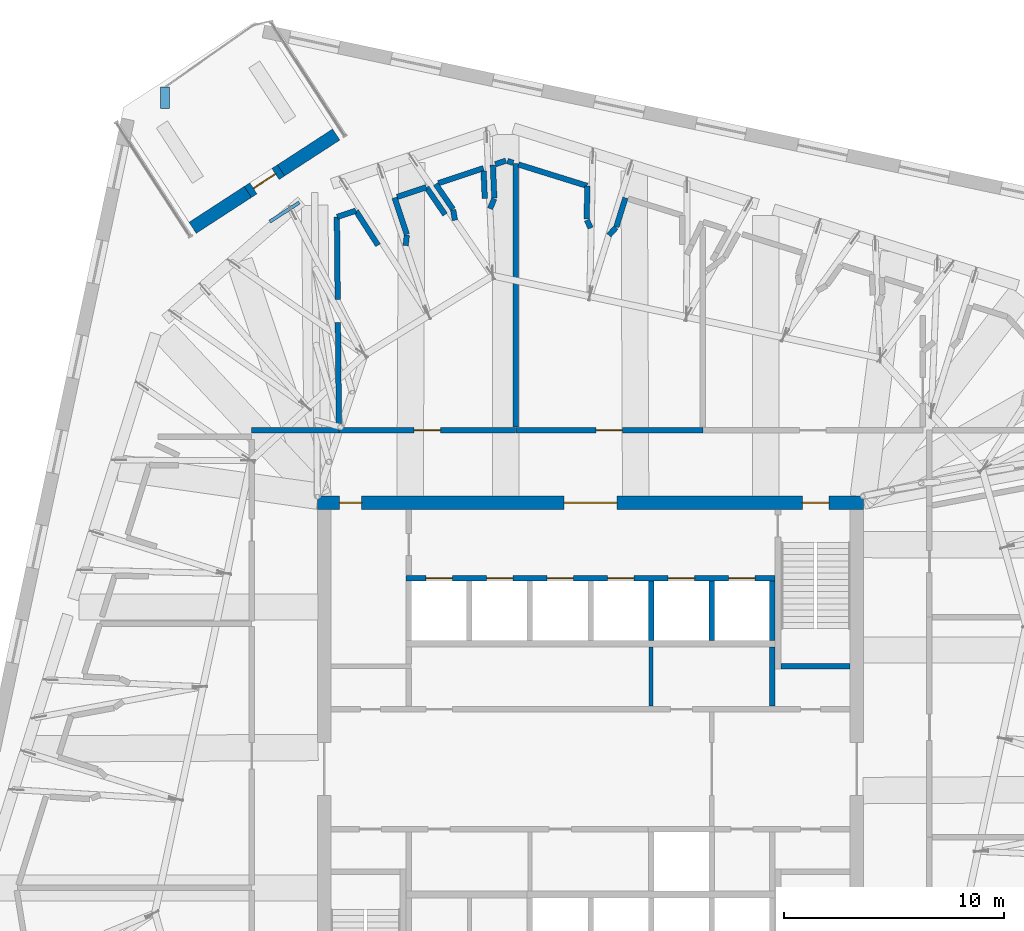
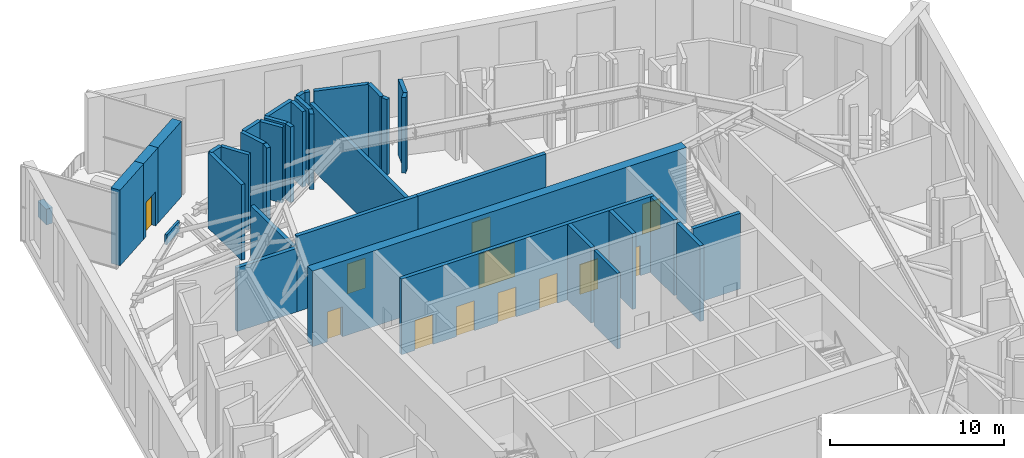
# One storey, part 11 of 19: 38 walls, 12 doors, 12 openings.
"""IFC4 building model written with IfcOpenShell, lengths in metres."""

from ifc_helpers import new_model, si_unit, direction, frame, frame_2d, origin, place, context, subcontext, project, spatial, rectangle, extrude, material, layer, layer_set, type_object, element, fill, save


model = new_model("IFC4")

# Units and contexts
model_context = context("Model", 3, precision=1e-05, world=origin(), true_north=direction((0.0, 1.0)))
body_context = subcontext(model_context, "Body", "Model", "MODEL_VIEW")
ifc_project = project(units=[si_unit("LENGTHUNIT", "METRE"), si_unit("AREAUNIT", "SQUARE_METRE"), si_unit("VOLUMEUNIT", "CUBIC_METRE"), si_unit("PLANEANGLEUNIT", "RADIAN"), si_unit("MASSUNIT", "GRAM", prefix="KILO")], contexts=[model_context])

# Site, building, storey
site_placement = place(None, origin())
site = spatial("IfcSite", under=ifc_project, at=site_placement, CompositionType="ELEMENT")
building_placement = place(site_placement, origin())
building = spatial("IfcBuilding", under=site, at=building_placement, Name="Dilmun Exchange Tower", CompositionType="ELEMENT")
storey_placement = place(building_placement, frame((0.0, 0.0, 344.5)))
storey = spatial("IfcBuildingStorey", under=building, at=storey_placement, Name="L82", CompositionType="ELEMENT", Elevation=344.5)

# Walls
ifc_material_1 = material(Name="Concrete C40/50", Category="concrete")
ifc_layer_1 = layer(ifc_material_1, 0.199951171875)
ifc_layer_set_1 = layer_set([ifc_layer_1], Name="Concrete C40/50")
wall_type_1 = type_object("IfcWallType", Name="Core partition wall 200", PredefinedType="PARTITIONING", material=ifc_layer_set_1)
wall_1_placement = place(storey_placement, frame((2.75, 2.85498046875, 0.0), z_axis=(0.0, 0.0, 1.0), x_axis=(0.0, 1.0, 0.0)))
element("IfcWall", 1, at=wall_1_placement, inside=storey, type_object=wall_type_1, Name="L82 core partition wall 15", PredefinedType="PARTITIONING", context=body_context, shape_type="SweptSolid", body=[
    extrude(rectangle(XDim=2.68994140625, YDim=0.199951171875, at=frame_2d((1.344970703125, 0.0))), origin(), (0.0, 0.0, 1.0), 5.300048828125),
])
ifc_layer_2 = layer(ifc_material_1, 0.25)
ifc_layer_set_2 = layer_set([ifc_layer_2], Name="Concrete C40/50")
wall_type_2 = type_object("IfcWallType", Name="Core partition wall 250", PredefinedType="PARTITIONING", material=ifc_layer_set_2)
wall_2_placement = place(storey_placement, frame((8.25, 2.85498046875, 0.0), z_axis=(0.0, 0.0, 1.0), x_axis=(0.0, 1.0, 0.0)))
element("IfcWall", 2, at=wall_2_placement, inside=storey, type_object=wall_type_2, Name="L82 core partition wall 16", PredefinedType="PARTITIONING", context=body_context, shape_type="SweptSolid", body=[
    extrude(rectangle(XDim=2.68994140625, YDim=0.25, at=frame_2d((1.344970703125, 0.0))), origin(), (0.0, 0.0, 1.0), 5.300048828125),
])

# Wall, openings, doors
ifc_material_2 = material(Name="Concrete C50/60", Category="concrete")
ifc_layer_3 = layer(ifc_material_2, 0.60009765625)
ifc_layer_set_3 = layer_set([ifc_layer_3], Name="Concrete C50/60")
wall_type_3 = type_object("IfcWallType", Name="Core shear wall 600 Concrete C50/60", PredefinedType="SHEAR", material=ifc_layer_set_3)
wall_3_placement = place(storey_placement, frame((-12.39990234375, 12.10009765625, 0.0), z_axis=(0.0, 0.0, 1.0), x_axis=(1.0, 0.0, 0.0)))
wall_3 = element("IfcWall", 3, at=wall_3_placement, inside=storey, type_object=wall_type_3, Name="L82 core shear wall N", PredefinedType="SHEAR", context=body_context, shape_type="SweptSolid", body=[
    extrude(rectangle(XDim=24.7998046875, YDim=0.60009765625, at=frame_2d((12.39990234375, 0.0))), origin(), (0.0, 0.0, 1.0), 5.300048828125),
])
opening_1_placement = place(wall_3_placement, frame((11.199951171875, 0.0, 0.0)))
opening_1 = element("IfcOpeningElement", 4, at=opening_1_placement, cuts=wall_3, Name="Opening CD1", PredefinedType="OPENING", context=body_context, shape_type="SweptSolid", body=[
    extrude(rectangle(XDim=2.39990234375, YDim=2.39990234375, at=frame_2d((1.199951171875, 1.199951171875))), frame((0.0, 0.31005859375, 0.0), z_axis=(0.0, -1.0, 0.0), x_axis=(1.0, 0.0, 0.0)), (0.0, 0.0, 1.0), 0.6201171875),
])
opening_2_placement = place(wall_3_placement, frame((22.02490234375, 0.0, 0.0)))
opening_2 = element("IfcOpeningElement", 5, at=opening_2_placement, cuts=wall_3, Name="Opening CD3", PredefinedType="OPENING", context=body_context, shape_type="SweptSolid", body=[
    extrude(rectangle(XDim=1.199951171875, YDim=2.10009765625, at=frame_2d((0.60009765625, 1.050048828125))), frame((0.0, 0.31005859375, 0.0), z_axis=(0.0, -1.0, 0.0), x_axis=(1.0, 0.0, 0.0)), (0.0, 0.0, 1.0), 0.6201171875),
])
opening_3_placement = place(wall_3_placement, frame((1.0, 0.0, 0.0)))
opening_3 = element("IfcOpeningElement", 6, at=opening_3_placement, cuts=wall_3, Name="Opening CD4", PredefinedType="OPENING", context=body_context, shape_type="SweptSolid", body=[
    extrude(rectangle(XDim=1.0, YDim=2.10009765625, at=frame_2d((0.5, 1.050048828125))), frame((0.0, 0.31005859375, 0.0), z_axis=(0.0, -1.0, 0.0), x_axis=(1.0, 0.0, 0.0)), (0.0, 0.0, 1.0), 0.6201171875),
])
ifc_material_3 = material(Name="Fire-rated steel door set", Category="steel")
door_type_1 = type_object("IfcDoorType", Name="Core lobby door 2400x2400", OperationType="DOUBLE_DOOR_DOUBLE_SWING", PredefinedType="DOOR", material=ifc_material_3)
door_1_placement = place(opening_1_placement, origin())
door_1 = element("IfcDoor", 7, at=door_1_placement, inside=storey, type_object=door_type_1, Name="L82 door North lift lobby", OperationType="SINGLE_SWING_LEFT", OverallHeight=2.39990234375, OverallWidth=2.39990234375, PredefinedType="DOOR", context=body_context, shape_type="SweptSolid", body=[
    extrude(rectangle(XDim=2.39990234375, YDim=2.39990234375, at=frame_2d((1.199951171875, 1.199951171875))), frame((0.0, 0.02490234375, 0.0), z_axis=(0.0, -1.0, 0.0), x_axis=(1.0, 0.0, 0.0)), (0.0, 0.0, 1.0), 0.050048828125),
])
fill(opening_1, door_1)
door_type_2 = type_object("IfcDoorType", Name="Core room door 1000x2100", OperationType="SINGLE_SWING_LEFT", PredefinedType="DOOR", material=ifc_material_3)
door_2_placement = place(opening_3_placement, origin())
door_2 = element("IfcDoor", 8, at=door_2_placement, inside=storey, type_object=door_type_2, Name="L82 door North-west core rooms", OperationType="SINGLE_SWING_LEFT", OverallHeight=2.10009765625, OverallWidth=1.0, PredefinedType="DOOR", context=body_context, shape_type="SweptSolid", body=[
    extrude(rectangle(XDim=1.0, YDim=2.10009765625, at=frame_2d((0.5, 1.050048828125))), frame((0.0, 0.02490234375, 0.0), z_axis=(0.0, -1.0, 0.0), x_axis=(1.0, 0.0, 0.0)), (0.0, 0.0, 1.0), 0.050048828125),
])
fill(opening_3, door_2)
door_type_3 = type_object("IfcDoorType", Name="Stair exit door 1200x2100", OperationType="SINGLE_SWING_LEFT", PredefinedType="DOOR", material=ifc_material_3)
door_3_placement = place(opening_2_placement, origin())
door_3 = element("IfcDoor", 9, at=door_3_placement, inside=storey, type_object=door_type_3, Name="L82 door Stair ST1", OperationType="SINGLE_SWING_LEFT", OverallHeight=2.10009765625, OverallWidth=1.199951171875, PredefinedType="DOOR", context=body_context, shape_type="SweptSolid", body=[
    extrude(rectangle(XDim=1.199951171875, YDim=2.10009765625, at=frame_2d((0.60009765625, 1.050048828125))), frame((0.0, 0.02490234375, 0.0), z_axis=(0.0, -1.0, 0.0), x_axis=(1.0, 0.0, 0.0)), (0.0, 0.0, 1.0), 0.050048828125),
])
fill(opening_2, door_3)

ifc_layer_4 = layer(ifc_material_1, 0.25)
ifc_layer_set_4 = layer_set([ifc_layer_4], Name="Concrete C40/50")
wall_type_4 = type_object("IfcWallType", Name="Lift shaft wall 250", PredefinedType="SOLIDWALL", material=ifc_layer_set_4)
wall_4_placement = place(storey_placement, frame((-8.375, 8.675048828125, 0.0), z_axis=(0.0, 0.0, 1.0), x_axis=(1.0, 0.0, 0.0)))
wall_4 = element("IfcWall", 10, at=wall_4_placement, inside=storey, type_object=wall_type_4, Name="L82 lift shaft front wall N2", PredefinedType="SOLIDWALL", context=body_context, shape_type="SweptSolid", body=[
    extrude(rectangle(XDim=16.75, YDim=0.25, at=frame_2d((8.375, 0.0))), origin(), (0.0, 0.0, 1.0), 5.300048828125),
])
opening_4_placement = place(wall_4_placement, frame((0.89990234375, 0.0, 0.0)))
opening_4 = element("IfcOpeningElement", 11, at=opening_4_placement, cuts=wall_4, Name="Opening LD", PredefinedType="OPENING", context=body_context, shape_type="SweptSolid", body=[
    extrude(rectangle(XDim=1.199951171875, YDim=2.10009765625, at=frame_2d((0.60009765625, 1.050048828125))), frame((0.0, 0.135009765625, 0.0), z_axis=(0.0, -1.0, 0.0), x_axis=(1.0, 0.0, 0.0)), (0.0, 0.0, 1.0), 0.27001953125),
])
opening_5_placement = place(wall_4_placement, frame((3.64990234375, 0.0, 0.0)))
opening_5 = element("IfcOpeningElement", 12, at=opening_5_placement, cuts=wall_4, Name="Opening LD", PredefinedType="OPENING", context=body_context, shape_type="SweptSolid", body=[
    extrude(rectangle(XDim=1.199951171875, YDim=2.10009765625, at=frame_2d((0.60009765625, 1.050048828125))), frame((0.0, 0.135009765625, 0.0), z_axis=(0.0, -1.0, 0.0), x_axis=(1.0, 0.0, 0.0)), (0.0, 0.0, 1.0), 0.27001953125),
])
opening_6_placement = place(wall_4_placement, frame((6.39990234375, 0.0, 0.0)))
opening_6 = element("IfcOpeningElement", 13, at=opening_6_placement, cuts=wall_4, Name="Opening LD", PredefinedType="OPENING", context=body_context, shape_type="SweptSolid", body=[
    extrude(rectangle(XDim=1.199951171875, YDim=2.10009765625, at=frame_2d((0.60009765625, 1.050048828125))), frame((0.0, 0.135009765625, 0.0), z_axis=(0.0, -1.0, 0.0), x_axis=(1.0, 0.0, 0.0)), (0.0, 0.0, 1.0), 0.27001953125),
])
opening_7_placement = place(wall_4_placement, frame((9.14990234375, 0.0, 0.0)))
opening_7 = element("IfcOpeningElement", 14, at=opening_7_placement, cuts=wall_4, Name="Opening LD", PredefinedType="OPENING", context=body_context, shape_type="SweptSolid", body=[
    extrude(rectangle(XDim=1.199951171875, YDim=2.10009765625, at=frame_2d((0.60009765625, 1.050048828125))), frame((0.0, 0.135009765625, 0.0), z_axis=(0.0, -1.0, 0.0), x_axis=(1.0, 0.0, 0.0)), (0.0, 0.0, 1.0), 0.27001953125),
])
opening_8_placement = place(wall_4_placement, frame((11.89990234375, 0.0, 0.0)))
opening_8 = element("IfcOpeningElement", 15, at=opening_8_placement, cuts=wall_4, Name="Opening LD", PredefinedType="OPENING", context=body_context, shape_type="SweptSolid", body=[
    extrude(rectangle(XDim=1.199951171875, YDim=2.10009765625, at=frame_2d((0.60009765625, 1.050048828125))), frame((0.0, 0.135009765625, 0.0), z_axis=(0.0, -1.0, 0.0), x_axis=(1.0, 0.0, 0.0)), (0.0, 0.0, 1.0), 0.27001953125),
])
opening_9_placement = place(wall_4_placement, frame((14.64990234375, 0.0, 0.0)))
opening_9 = element("IfcOpeningElement", 16, at=opening_9_placement, cuts=wall_4, Name="Opening LD", PredefinedType="OPENING", context=body_context, shape_type="SweptSolid", body=[
    extrude(rectangle(XDim=1.199951171875, YDim=2.10009765625, at=frame_2d((0.60009765625, 1.050048828125))), frame((0.0, 0.135009765625, 0.0), z_axis=(0.0, -1.0, 0.0), x_axis=(1.0, 0.0, 0.0)), (0.0, 0.0, 1.0), 0.27001953125),
])
door_type_4 = type_object("IfcDoorType", Name="Lift landing door 1200x2100", OperationType="DOUBLE_DOOR_SLIDING", PredefinedType="DOOR", material=ifc_material_3)
door_4_placement = place(opening_4_placement, origin())
door_4 = element("IfcDoor", 17, at=door_4_placement, inside=storey, type_object=door_type_4, Name="L82 landing door HR1", OperationType="DOUBLE_DOOR_SLIDING", OverallHeight=2.10009765625, OverallWidth=1.199951171875, PredefinedType="DOOR", context=body_context, shape_type="SweptSolid", body=[
    extrude(rectangle(XDim=1.199951171875, YDim=2.10009765625, at=frame_2d((0.60009765625, 1.050048828125))), frame((0.0, 0.02490234375, 0.0), z_axis=(0.0, -1.0, 0.0), x_axis=(1.0, 0.0, 0.0)), (0.0, 0.0, 1.0), 0.050048828125),
])
fill(opening_4, door_4)
door_5_placement = place(opening_5_placement, origin())
door_5 = element("IfcDoor", 18, at=door_5_placement, inside=storey, type_object=door_type_4, Name="L82 landing door HR2", OperationType="DOUBLE_DOOR_SLIDING", OverallHeight=2.10009765625, OverallWidth=1.199951171875, PredefinedType="DOOR", context=body_context, shape_type="SweptSolid", body=[
    extrude(rectangle(XDim=1.199951171875, YDim=2.10009765625, at=frame_2d((0.60009765625, 1.050048828125))), frame((0.0, 0.02490234375, 0.0), z_axis=(0.0, -1.0, 0.0), x_axis=(1.0, 0.0, 0.0)), (0.0, 0.0, 1.0), 0.050048828125),
])
fill(opening_5, door_5)
door_6_placement = place(opening_6_placement, origin())
door_6 = element("IfcDoor", 19, at=door_6_placement, inside=storey, type_object=door_type_4, Name="L82 landing door HR3", OperationType="DOUBLE_DOOR_SLIDING", OverallHeight=2.10009765625, OverallWidth=1.199951171875, PredefinedType="DOOR", context=body_context, shape_type="SweptSolid", body=[
    extrude(rectangle(XDim=1.199951171875, YDim=2.10009765625, at=frame_2d((0.60009765625, 1.050048828125))), frame((0.0, 0.02490234375, 0.0), z_axis=(0.0, -1.0, 0.0), x_axis=(1.0, 0.0, 0.0)), (0.0, 0.0, 1.0), 0.050048828125),
])
fill(opening_6, door_6)
door_7_placement = place(opening_7_placement, origin())
door_7 = element("IfcDoor", 20, at=door_7_placement, inside=storey, type_object=door_type_4, Name="L82 landing door HR4", OperationType="DOUBLE_DOOR_SLIDING", OverallHeight=2.10009765625, OverallWidth=1.199951171875, PredefinedType="DOOR", context=body_context, shape_type="SweptSolid", body=[
    extrude(rectangle(XDim=1.199951171875, YDim=2.10009765625, at=frame_2d((0.60009765625, 1.050048828125))), frame((0.0, 0.02490234375, 0.0), z_axis=(0.0, -1.0, 0.0), x_axis=(1.0, 0.0, 0.0)), (0.0, 0.0, 1.0), 0.050048828125),
])
fill(opening_7, door_7)
door_8_placement = place(opening_8_placement, origin())
door_8 = element("IfcDoor", 21, at=door_8_placement, inside=storey, type_object=door_type_4, Name="L82 landing door HR5", OperationType="DOUBLE_DOOR_SLIDING", OverallHeight=2.10009765625, OverallWidth=1.199951171875, PredefinedType="DOOR", context=body_context, shape_type="SweptSolid", body=[
    extrude(rectangle(XDim=1.199951171875, YDim=2.10009765625, at=frame_2d((0.60009765625, 1.050048828125))), frame((0.0, 0.02490234375, 0.0), z_axis=(0.0, -1.0, 0.0), x_axis=(1.0, 0.0, 0.0)), (0.0, 0.0, 1.0), 0.050048828125),
])
fill(opening_8, door_8)
door_9_placement = place(opening_9_placement, origin())
door_9 = element("IfcDoor", 22, at=door_9_placement, inside=storey, type_object=door_type_4, Name="L82 landing door HR6", OperationType="DOUBLE_DOOR_SLIDING", OverallHeight=2.10009765625, OverallWidth=1.199951171875, PredefinedType="DOOR", context=body_context, shape_type="SweptSolid", body=[
    extrude(rectangle(XDim=1.199951171875, YDim=2.10009765625, at=frame_2d((0.60009765625, 1.050048828125))), frame((0.0, 0.02490234375, 0.0), z_axis=(0.0, -1.0, 0.0), x_axis=(1.0, 0.0, 0.0)), (0.0, 0.0, 1.0), 0.050048828125),
])
fill(opening_9, door_9)

# Walls
for number, where, z_axis, x_axis, name in (
    (23, (2.75, 5.85009765625, 0.0), (0.0, 0.0, 1.0), (0.0, 1.0, 0.0), "L82 lift shaft divider N24"),
    (24, (5.5, 5.85009765625, 0.0), (0.0, 0.0, 1.0), (0.0, 1.0, 0.0), "L82 lift shaft divider N25"),
    (25, (8.25, 5.85009765625, 0.0), (0.0, 0.0, 1.0), (0.0, 1.0, 0.0), "L82 lift shaft divider N26"),
):
    element("IfcWall", number, at=place(storey_placement, frame(where, z_axis=z_axis, x_axis=x_axis)), inside=storey, type_object=wall_type_4, Name=name, PredefinedType="SOLIDWALL", context=body_context, shape_type="SweptSolid", body=[
        extrude(rectangle(XDim=2.699951171875, YDim=0.25, at=frame_2d((1.35009765625, 0.0))), origin(), (0.0, 0.0, 1.0), 5.300048828125),
    ])
ifc_material_4 = material(Name="Concrete C32/40", Category="concrete")
ifc_layer_5 = layer(ifc_material_4, 0.25)
ifc_layer_set_5 = layer_set([ifc_layer_5], Name="Concrete C32/40")
wall_type_5 = type_object("IfcWallType", Name="Plant room wall 250", PredefinedType="PARTITIONING", material=ifc_layer_set_5)
wall_5_placement = place(storey_placement, frame((-15.39990234375, 15.39990234375, 0.0), z_axis=(0.0, 0.0, 1.0), x_axis=(1.0, 0.0, 0.0)))
element("IfcWall", 26, at=wall_5_placement, inside=storey, type_object=wall_type_5, Name="L82 plant room wall 130", PredefinedType="PARTITIONING", context=body_context, shape_type="SweptSolid", body=[
    extrude(rectangle(XDim=3.970458984375, YDim=0.25, at=frame_2d((1.9853515625, 0.0))), origin(), (0.0, 0.0, 1.0), 4.466064453125),
])
wall_6_placement = place(storey_placement, frame((-11.477783203125, 20.29638671875, 0.0), z_axis=(0.0, 0.0, 1.0), x_axis=(0.009834078559, -0.99995164428, 0.0)))
element("IfcWall", 27, at=wall_6_placement, inside=storey, type_object=wall_type_5, Name="L82 plant room wall 131", PredefinedType="PARTITIONING", context=body_context, shape_type="SweptSolid", body=[
    extrude(rectangle(XDim=4.7666015625, YDim=0.25, at=frame_2d((2.38330078125, 0.0))), origin(), (0.0, 0.0, 1.0), 4.466064453125),
])

# Wall, opening, door
wall_7_placement = place(storey_placement, frame((-11.424560546875, 15.39990234375, 0.0), z_axis=(0.0, 0.0, 1.0), x_axis=(1.0, 0.0, 0.0)))
wall_7 = element("IfcWall", 28, at=wall_7_placement, inside=storey, type_object=wall_type_5, Name="L82 plant room wall 132", PredefinedType="PARTITIONING", context=body_context, shape_type="SweptSolid", body=[
    extrude(rectangle(XDim=8.024658203125, YDim=0.25, at=frame_2d((4.01220703125, 0.0))), origin(), (0.0, 0.0, 1.0), 5.300048828125),
])
opening_10_placement = place(wall_7_placement, frame((3.409912109375, 0.0, 0.0)))
opening_10 = element("IfcOpeningElement", 29, at=opening_10_placement, cuts=wall_7, Name="Opening PD2", PredefinedType="OPENING", context=body_context, shape_type="SweptSolid", body=[
    extrude(rectangle(XDim=1.199951171875, YDim=2.10009765625, at=frame_2d((0.60009765625, 1.050048828125))), frame((0.0, 0.135009765625, 0.0), z_axis=(0.0, -1.0, 0.0), x_axis=(1.0, 0.0, 0.0)), (0.0, 0.0, 1.0), 0.27001953125),
])
door_type_5 = type_object("IfcDoorType", Name="Plant room door 1200x2100", OperationType="SINGLE_SWING_LEFT", PredefinedType="DOOR", material=ifc_material_3)
door_10_placement = place(opening_10_placement, origin())
door_10 = element("IfcDoor", 30, at=door_10_placement, inside=storey, type_object=door_type_5, Name="L82 door Electrical switch room", OperationType="SINGLE_SWING_RIGHT", OverallHeight=2.10009765625, OverallWidth=1.199951171875, PredefinedType="DOOR", context=body_context, shape_type="SweptSolid", body=[
    extrude(rectangle(XDim=1.199951171875, YDim=2.10009765625, at=frame_2d((0.60009765625, 1.050048828125))), frame((0.0, 0.02490234375, 0.0), z_axis=(0.0, -1.0, 0.0), x_axis=(1.0, 0.0, 0.0)), (0.0, 0.0, 1.0), 0.050048828125),
])
fill(opening_10, door_10)

wall_8_placement = place(storey_placement, frame((-3.39501953125, 15.39990234375, 0.0), z_axis=(0.0, 0.0, 1.0), x_axis=(1.0, 0.0, 0.0)))
wall_8 = element("IfcWall", 31, at=wall_8_placement, inside=storey, type_object=wall_type_5, Name="L82 plant room wall 133", PredefinedType="PARTITIONING", context=body_context, shape_type="SweptSolid", body=[
    extrude(rectangle(XDim=8.4951171875, YDim=0.25, at=frame_2d((4.24755859375, 0.0))), origin(), (0.0, 0.0, 1.0), 5.300048828125),
])
opening_11_placement = place(wall_8_placement, frame((3.64501953125, 0.0, 0.0)))
opening_11 = element("IfcOpeningElement", 32, at=opening_11_placement, cuts=wall_8, Name="Opening PD2", PredefinedType="OPENING", context=body_context, shape_type="SweptSolid", body=[
    extrude(rectangle(XDim=1.199951171875, YDim=2.10009765625, at=frame_2d((0.60009765625, 1.050048828125))), frame((0.0, 0.135009765625, 0.0), z_axis=(0.0, -1.0, 0.0), x_axis=(1.0, 0.0, 0.0)), (0.0, 0.0, 1.0), 0.27001953125),
])
door_11_placement = place(opening_11_placement, origin())
door_11 = element("IfcDoor", 33, at=door_11_placement, inside=storey, type_object=door_type_5, Name="L82 door Transformer room", OperationType="SINGLE_SWING_LEFT", OverallHeight=2.10009765625, OverallWidth=1.199951171875, PredefinedType="DOOR", context=body_context, shape_type="SweptSolid", body=[
    extrude(rectangle(XDim=1.199951171875, YDim=2.10009765625, at=frame_2d((0.60009765625, 1.050048828125))), frame((0.0, 0.02490234375, 0.0), z_axis=(0.0, -1.0, 0.0), x_axis=(1.0, 0.0, 0.0)), (0.0, 0.0, 1.0), 0.050048828125),
])
fill(opening_11, door_11)

# Walls
wall_9_placement = place(storey_placement, frame((-11.524658203125, 25.07861328125, 0.0), z_axis=(0.0, 0.0, 1.0), x_axis=(0.009844352785, -0.999951543185, 0.0)))
element("IfcWall", 34, at=wall_9_placement, inside=storey, type_object=wall_type_5, Name="L82 plant room wall 149", PredefinedType="PARTITIONING", context=body_context, shape_type="SweptSolid", body=[
    extrude(rectangle(XDim=3.744873046875, YDim=0.25, at=frame_2d((1.87255859375, 0.0))), origin(), (0.0, 0.0, 1.0), 5.300048828125),
])
wall_10_placement = place(storey_placement, frame((-8.39990234375, 23.7822265625, 0.0), z_axis=(0.0, 0.0, 1.0), x_axis=(0.113532360215, 0.993534298947, 0.0)))
element("IfcWall", 35, at=wall_10_placement, inside=storey, type_object=wall_type_5, Name="L82 plant room wall 163", PredefinedType="PARTITIONING", context=body_context, shape_type="SweptSolid", body=[
    extrude(rectangle(XDim=0.48388671875, YDim=0.25, at=frame_2d((0.241943359375, 0.0))), origin(), (0.0, 0.0, 1.0), 5.300048828125),
])
wall_11_placement = place(storey_placement, frame((0.834716796875, 24.25048828125, 0.0), z_axis=(0.0, 0.0, 1.0), x_axis=(0.673275475331, 0.739391732654, 0.0)))
element("IfcWall", 36, at=wall_11_placement, inside=storey, type_object=wall_type_5, Name="L82 plant room wall 165", PredefinedType="PARTITIONING", context=body_context, shape_type="SweptSolid", body=[
    extrude(rectangle(XDim=0.483642578125, YDim=0.25, at=frame_2d((0.24169921875, 0.0))), origin(), (0.0, 0.0, 1.0), 5.300048828125),
])
wall_12_placement = place(storey_placement, frame((-8.902587890625, 25.953857421875, 0.0), z_axis=(0.0, 0.0, 1.0), x_axis=(0.316603987082, -0.94855780813, 0.0)))
element("IfcWall", 37, at=wall_12_placement, inside=storey, type_object=wall_type_5, Name="L82 plant room wall 166", PredefinedType="PARTITIONING", context=body_context, shape_type="SweptSolid", body=[
    extrude(rectangle(XDim=1.751953125, YDim=0.25, at=frame_2d((0.8759765625, 0.0))), origin(), (0.0, 0.0, 1.0), 5.300048828125),
])
wall_13_placement = place(storey_placement, frame((1.175048828125, 24.6337890625, 0.0), z_axis=(0.0, 0.0, 1.0), x_axis=(0.297510380201, 0.954718583496, 0.0)))
element("IfcWall", 38, at=wall_13_placement, inside=storey, type_object=wall_type_5, Name="L82 plant room wall 169", PredefinedType="PARTITIONING", context=body_context, shape_type="SweptSolid", body=[
    extrude(rectangle(XDim=1.3818359375, YDim=0.25, at=frame_2d((0.69091796875, 0.0))), origin(), (0.0, 0.0, 1.0), 5.300048828125),
])
wall_14_placement = place(storey_placement, frame((-6.239501953125, 25.408935546875, 0.0), z_axis=(0.0, 0.0, 1.0), x_axis=(0.164562701873, -0.986366624107, 0.0)))
element("IfcWall", 39, at=wall_14_placement, inside=storey, type_object=wall_type_5, Name="L82 plant room wall 172", PredefinedType="PARTITIONING", context=body_context, shape_type="SweptSolid", body=[
    extrude(rectangle(XDim=0.483642578125, YDim=0.25, at=frame_2d((0.24169921875, 0.0))), origin(), (0.0, 0.0, 1.0), 5.300048828125),
])
wall_15_placement = place(storey_placement, frame((-0.15869140625, 24.938232421875, 0.0), z_axis=(0.0, 0.0, 1.0), x_axis=(0.402718041126, -0.915324084328, 0.0)))
element("IfcWall", 40, at=wall_15_placement, inside=storey, type_object=wall_type_5, Name="L82 plant room wall 173", PredefinedType="PARTITIONING", context=body_context, shape_type="SweptSolid", body=[
    extrude(rectangle(XDim=0.397705078125, YDim=0.25, at=frame_2d((0.19873046875, 0.0))), origin(), (0.0, 0.0, 1.0), 5.300048828125),
])
wall_16_placement = place(storey_placement, frame((-11.50927734375, 25.083740234375, 0.0), z_axis=(0.0, 0.0, 1.0), x_axis=(0.948573611036, 0.316556637026, 0.0)))
element("IfcWall", 41, at=wall_16_placement, inside=storey, type_object=wall_type_5, Name="L82 plant room wall 174", PredefinedType="PARTITIONING", context=body_context, shape_type="SweptSolid", body=[
    extrude(rectangle(XDim=0.890869140625, YDim=0.25, at=frame_2d((0.4453125, 0.0))), origin(), (0.0, 0.0, 1.0), 5.300048828125),
])
wall_17_placement = place(storey_placement, frame((-10.6533203125, 25.348876953125, 0.0), z_axis=(0.0, 0.0, 1.0), x_axis=(0.541212626445, -0.840885778793, 0.0)))
element("IfcWall", 42, at=wall_17_placement, inside=storey, type_object=wall_type_5, Name="L82 plant room wall 176", PredefinedType="PARTITIONING", context=body_context, shape_type="SweptSolid", body=[
    extrude(rectangle(XDim=1.84375, YDim=0.25, at=frame_2d((0.921875, 0.0))), origin(), (0.0, 0.0, 1.0), 5.300048828125),
])
wall_18_placement = place(storey_placement, frame((-7.0341796875, 26.57763671875, 0.0), z_axis=(0.0, 0.0, 1.0), x_axis=(0.565960001462, -0.824432699949, 0.0)))
element("IfcWall", 43, at=wall_18_placement, inside=storey, type_object=wall_type_5, Name="L82 plant room wall 177", PredefinedType="PARTITIONING", context=body_context, shape_type="SweptSolid", body=[
    extrude(rectangle(XDim=1.384765625, YDim=0.25, at=frame_2d((0.6923828125, 0.0))), origin(), (0.0, 0.0, 1.0), 5.300048828125),
])
wall_19_placement = place(storey_placement, frame((-4.561767578125, 25.4619140625, 0.0), z_axis=(0.0, 0.0, 1.0), x_axis=(0.383109566303, 0.923702906896, 0.0)))
element("IfcWall", 44, at=wall_19_placement, inside=storey, type_object=wall_type_5, Name="L82 plant room wall 178", PredefinedType="PARTITIONING", context=body_context, shape_type="SweptSolid", body=[
    extrude(rectangle(XDim=0.483642578125, YDim=0.25, at=frame_2d((0.24169921875, 0.0))), origin(), (0.0, 0.0, 1.0), 5.300048828125),
])
wall_20_placement = place(storey_placement, frame((-4.435791015625, 27.445068359375, 0.0), z_axis=(0.0, 0.0, 1.0), x_axis=(0.042714017446, -0.999087339883, 0.0)))
element("IfcWall", 45, at=wall_20_placement, inside=storey, type_object=wall_type_5, Name="L82 plant room wall 179", PredefinedType="PARTITIONING", context=body_context, shape_type="SweptSolid", body=[
    extrude(rectangle(XDim=1.509033203125, YDim=0.25, at=frame_2d((0.75439453125, 0.0))), origin(), (0.0, 0.0, 1.0), 5.300048828125),
])
wall_21_placement = place(storey_placement, frame((-8.779296875, 25.9951171875, 0.0), z_axis=(0.0, 0.0, 1.0), x_axis=(0.948542627413, 0.316649465468, 0.0)))
element("IfcWall", 46, at=wall_21_placement, inside=storey, type_object=wall_type_5, Name="L82 plant room wall 181", PredefinedType="PARTITIONING", context=body_context, shape_type="SweptSolid", body=[
    extrude(rectangle(XDim=1.389404296875, YDim=0.25, at=frame_2d((0.69482421875, 0.0))), origin(), (0.0, 0.0, 1.0), 5.300048828125),
])
wall_22_placement = place(storey_placement, frame((-7.451171875, 26.420166015625, 0.0), z_axis=(0.0, 0.0, 1.0), x_axis=(0.565910159473, -0.824466913469, 0.0)))
element("IfcWall", 47, at=wall_22_placement, inside=storey, type_object=wall_type_5, Name="L82 plant room wall 182", PredefinedType="PARTITIONING", context=body_context, shape_type="SweptSolid", body=[
    extrude(rectangle(XDim=1.490966796875, YDim=0.25, at=frame_2d((0.74560546875, 0.0))), origin(), (0.0, 0.0, 1.0), 5.300048828125),
])
wall_23_placement = place(storey_placement, frame((-0.17529296875, 24.9833984375, 0.0), z_axis=(0.0, 0.0, 1.0), x_axis=(0.022008264694, 0.999757788809, 0.0)))
element("IfcWall", 48, at=wall_23_placement, inside=storey, type_object=wall_type_5, Name="L82 plant room wall 183", PredefinedType="PARTITIONING", context=body_context, shape_type="SweptSolid", body=[
    extrude(rectangle(XDim=1.508544921875, YDim=0.25, at=frame_2d((0.75439453125, 0.0))), origin(), (0.0, 0.0, 1.0), 5.300048828125),
])
wall_24_placement = place(storey_placement, frame((-6.90576171875, 26.62060546875, 0.0), z_axis=(0.0, 0.0, 1.0), x_axis=(0.948547169077, 0.316635860312, 0.0)))
element("IfcWall", 49, at=wall_24_placement, inside=storey, type_object=wall_type_5, Name="L82 plant room wall 184", PredefinedType="PARTITIONING", context=body_context, shape_type="SweptSolid", body=[
    extrude(rectangle(XDim=2.153564453125, YDim=0.25, at=frame_2d((1.07666015625, 0.0))), origin(), (0.0, 0.0, 1.0), 5.300048828125),
])
wall_25_placement = place(storey_placement, frame((-4.857421875, 27.167236328125, 0.0), z_axis=(0.0, 0.0, 1.0), x_axis=(0.042792761486, -0.999083970227, 0.0)))
element("IfcWall", 50, at=wall_25_placement, inside=storey, type_object=wall_type_5, Name="L82 plant room wall 185", PredefinedType="PARTITIONING", context=body_context, shape_type="SweptSolid", body=[
    extrude(rectangle(XDim=1.24951171875, YDim=0.25, at=frame_2d((0.624755859375, 0.0))), origin(), (0.0, 0.0, 1.0), 5.300048828125),
])
wall_26_placement = place(storey_placement, frame((-4.32373046875, 27.482421875, 0.0), z_axis=(0.0, 0.0, 1.0), x_axis=(0.948587485996, 0.316515057165, 0.0)))
element("IfcWall", 51, at=wall_26_placement, inside=storey, type_object=wall_type_5, Name="L82 plant room wall 186", PredefinedType="PARTITIONING", context=body_context, shape_type="SweptSolid", body=[
    extrude(rectangle(XDim=0.509765625, YDim=0.25, at=frame_2d((0.2548828125, 0.0))), origin(), (0.0, 0.0, 1.0), 5.300048828125),
])
wall_27_placement = place(storey_placement, frame((-3.39990234375, 15.530029296875, 0.0), z_axis=(0.0, 0.0, 1.0), x_axis=(0.0, 1.0, 0.0)))
element("IfcWall", 52, at=wall_27_placement, inside=storey, type_object=wall_type_5, Name="L82 plant room wall 187", PredefinedType="PARTITIONING", context=body_context, shape_type="SweptSolid", body=[
    extrude(rectangle(XDim=11.976806640625, YDim=0.25, at=frame_2d((5.98828125, 0.0))), origin(), (0.0, 0.0, 1.0), 4.466064453125),
])
wall_28_placement = place(storey_placement, frame((-3.27001953125, 27.46630859375, 0.0), z_axis=(0.0, 0.0, 1.0), x_axis=(0.954726318506, -0.297485557215, 0.0)))
element("IfcWall", 53, at=wall_28_placement, inside=storey, type_object=wall_type_5, Name="L82 plant room wall 188", PredefinedType="PARTITIONING", context=body_context, shape_type="SweptSolid", body=[
    extrude(rectangle(XDim=3.258056640625, YDim=0.25, at=frame_2d((1.62890625, 0.0))), origin(), (0.0, 0.0, 1.0), 5.300048828125),
])
wall_29_placement = place(storey_placement, frame((-3.77685546875, 27.624267578125, 0.0), z_axis=(0.0, 0.0, 1.0), x_axis=(0.954651717909, -0.297724868787, 0.0)))
element("IfcWall", 54, at=wall_29_placement, inside=storey, type_object=wall_type_5, Name="L82 plant room wall 189", PredefinedType="PARTITIONING", context=body_context, shape_type="SweptSolid", body=[
    extrude(rectangle(XDim=0.278076171875, YDim=0.25, at=frame_2d((0.13916015625, 0.0))), origin(), (0.0, 0.0, 1.0), 5.300048828125),
])
ifc_material_5 = material(Name="Precast concrete C50/60", Category="concrete")
ifc_layer_6 = layer(ifc_material_5, 0.60009765625)
ifc_layer_set_6 = layer_set([ifc_layer_6], Name="Precast concrete C50/60")
wall_type_6 = type_object("IfcWallType", Name="Precast stone-clad wall 600", PredefinedType="STANDARD", material=ifc_layer_set_6)
wall_30_placement = place(storey_placement, frame((-11.55419921875, 28.827392578125, 0.0), z_axis=(0.0, 0.0, 1.0), x_axis=(-0.838674939243, -0.544632303747, 0.0)))
element("IfcWall", 55, at=wall_30_placement, inside=storey, type_object=wall_type_6, Name="Facade wall L82-01-0B", PredefinedType="STANDARD", context=body_context, shape_type="SweptSolid", body=[
    extrude(rectangle(XDim=2.989013671875, YDim=0.60009765625, at=frame_2d((1.49462890625, 0.0))), origin(), (0.0, 0.0, 1.0), 5.300048828125),
])

# Wall, opening, door
wall_31_placement = place(storey_placement, frame((-14.06103515625, 27.199462890625, 0.0), z_axis=(0.0, 0.0, 1.0), x_axis=(-0.838626401191, -0.544707039816, 0.0)))
wall_31 = element("IfcWall", 56, at=wall_31_placement, inside=storey, type_object=wall_type_6, Name="Facade wall L82-01-D", PredefinedType="STANDARD", context=body_context, shape_type="SweptSolid", body=[
    extrude(rectangle(XDim=1.800048828125, YDim=0.60009765625, at=frame_2d((0.89990234375, 0.0))), origin(), (0.0, 0.0, 1.0), 5.300048828125),
])
opening_12_placement = place(wall_31_placement, frame((0.300048828125, 0.0, 0.0)))
opening_12 = element("IfcOpeningElement", 57, at=opening_12_placement, cuts=wall_31, Name="Opening GD-1", PredefinedType="OPENING", context=body_context, shape_type="SweptSolid", body=[
    extrude(rectangle(XDim=1.199951171875, YDim=2.39990234375, at=frame_2d((0.60009765625, 1.199951171875))), frame((0.0, 0.31005859375, 0.0), z_axis=(0.0, -1.0, 0.0), x_axis=(1.0, 0.0, 0.0)), (0.0, 0.0, 1.0), 0.6201171875),
])
ifc_material_6 = material(Name="Clear low-emissivity glass in aluminium frame", Category="aluminium")
door_type_6 = type_object("IfcDoorType", Name="Glazed garden door 1200 x 2400", OperationType="SINGLE_SWING_LEFT", PredefinedType="DOOR", material=ifc_material_6)
door_12_placement = place(opening_12_placement, origin())
door_12 = element("IfcDoor", 58, at=door_12_placement, inside=storey, type_object=door_type_6, Name="Garden terrace door", OperationType="SINGLE_SWING_LEFT", OverallHeight=2.39990234375, OverallWidth=1.199951171875, PredefinedType="DOOR", context=body_context, shape_type="SweptSolid", body=[
    extrude(rectangle(XDim=1.199951171875, YDim=2.39990234375, at=frame_2d((0.60009765625, 1.199951171875))), frame((0.0, 0.02490234375, 0.0), z_axis=(0.0, -1.0, 0.0), x_axis=(1.0, 0.0, 0.0)), (0.0, 0.0, 1.0), 0.050048828125),
])
fill(opening_12, door_12)

# Walls
wall_32_placement = place(storey_placement, frame((-15.570556640625, 26.218994140625, 0.0), z_axis=(0.0, 0.0, 1.0), x_axis=(-0.838674939243, -0.544632303747, 0.0)))
element("IfcWall", 59, at=wall_32_placement, inside=storey, type_object=wall_type_6, Name="Facade wall L82-01-2B", PredefinedType="STANDARD", context=body_context, shape_type="SweptSolid", body=[
    extrude(rectangle(XDim=2.989013671875, YDim=0.60009765625, at=frame_2d((1.49462890625, 0.0))), origin(), (0.0, 0.0, 1.0), 5.300048828125),
])
ifc_layer_7 = layer(ifc_material_1, 0.25)
ifc_layer_set_7 = layer_set([ifc_layer_7], Name="Concrete C40/50")
wall_type_7 = type_object("IfcWallType", Name="Stair end wall 250", PredefinedType="SOLIDWALL", material=ifc_layer_set_7)
wall_33_placement = place(storey_placement, frame((8.64990234375, 4.675048828125, 0.0), z_axis=(0.0, 0.0, 1.0), x_axis=(1.0, 0.0, 0.0)))
element("IfcWall", 60, at=wall_33_placement, inside=storey, type_object=wall_type_7, Name="L82 ST1 far wall", PredefinedType="SOLIDWALL", context=body_context, shape_type="SweptSolid", body=[
    extrude(rectangle(XDim=3.150146484375, YDim=0.25, at=frame_2d((1.5751953125, 0.0))), origin(), (0.0, 0.0, 1.0), 5.300048828125),
])
ifc_layer_8 = layer(ifc_material_5, 0.39990234375)
ifc_layer_set_8 = layer_set([ifc_layer_8], Name="Precast concrete C50/60")
wall_type_8 = type_object("IfcWallType", Name="Terrace upstand wall 400", PredefinedType="PARAPET", material=ifc_layer_set_8)
wall_34_placement = place(storey_placement, frame((-19.334716796875, 30.982421875, 0.0), z_axis=(0.0, 0.0, 1.0), x_axis=(0.0, -1.0, 0.0)))
element("IfcWall", 61, at=wall_34_placement, inside=storey, type_object=wall_type_8, Name="Terrace upstand wall 1", PredefinedType="PARAPET", context=body_context, shape_type="SweptSolid", body=[
    extrude(rectangle(XDim=0.982421875, YDim=0.39990234375, at=frame_2d((0.4912109375, 0.0))), origin(), (0.0, 0.0, 1.0), 1.10009765625),
])
ifc_layer_9 = layer(ifc_material_4, 0.14990234375)
ifc_layer_set_9 = layer_set([ifc_layer_9], Name="Concrete C32/40")
wall_type_9 = type_object("IfcWallType", Name="Truss kerb wall 150", PredefinedType="PARTITIONING", material=ifc_layer_set_9)
wall_35_placement = place(storey_placement, frame((-13.232666015625, 25.740234375, 0.0), z_axis=(0.0, 0.0, 1.0), x_axis=(-0.838680614218, -0.5446235648, 0.0)))
element("IfcWall", 62, at=wall_35_placement, inside=storey, type_object=wall_type_9, Name="L82 truss kerb wall", PredefinedType="PARTITIONING", context=body_context, shape_type="SweptSolid", body=[
    extrude(rectangle(XDim=1.599853515625, YDim=0.14990234375, at=frame_2d((0.7998046875, 0.0))), origin(), (0.0, 0.0, 1.0), 0.699951171875),
])

save(model, "model.ifc")
